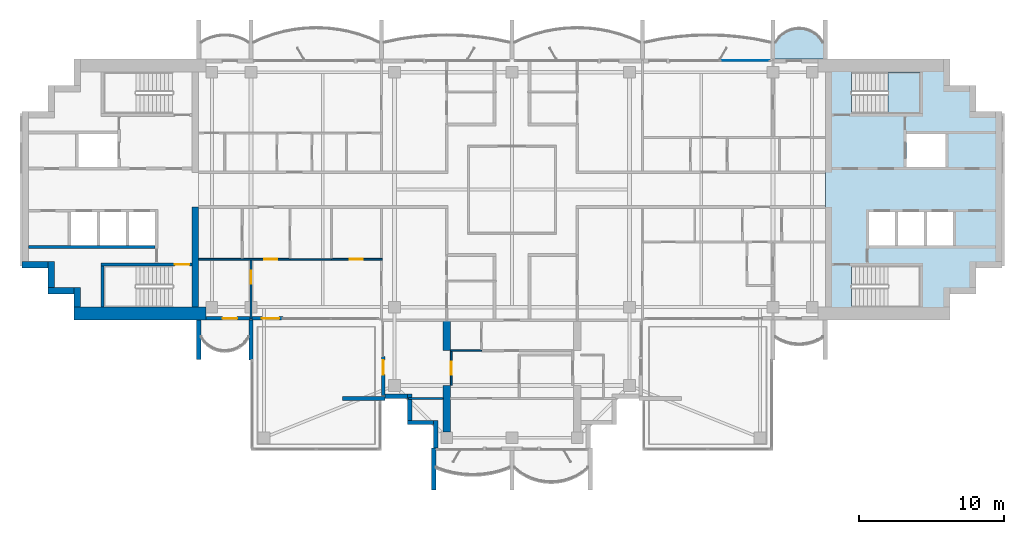
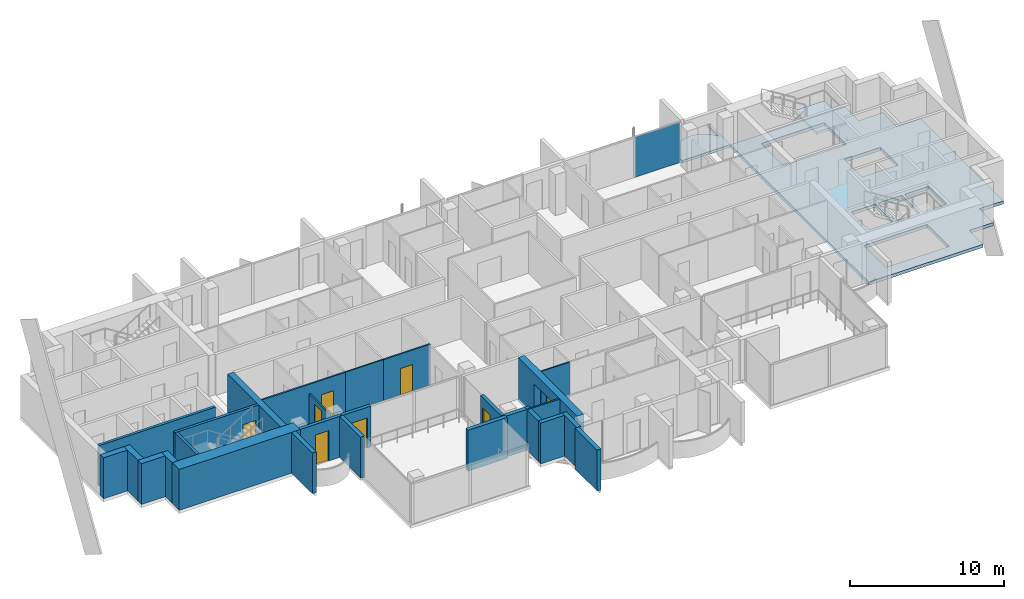
# One storey, part 6 of 16: 28 walls, 8 doors, 3 slabs, 1 plate, 8 openings, 2 elements without a shape of their own.
"""IFC4 building model written with IfcOpenShell, lengths in metres."""

from ifc_helpers import new_model, si_unit, direction, frame, frame_2d, origin, origin_2d, place, context, subcontext, project, spatial, polyline, rectangle, outline, extrude, material, layer, layer_set, material_profile, profile_set, type_object, element, fill, aggregate, save


model = new_model("IFC4")

# Units and contexts
model_context = context("Model", 3, precision=1e-05, world=origin(), true_north=direction((0.0, 1.0)))
body_context = subcontext(model_context, "Body", "Model", "MODEL_VIEW")
ifc_project = project(units=[si_unit("LENGTHUNIT", "METRE"), si_unit("AREAUNIT", "SQUARE_METRE"), si_unit("VOLUMEUNIT", "CUBIC_METRE"), si_unit("PLANEANGLEUNIT", "RADIAN"), si_unit("MASSUNIT", "GRAM", prefix="KILO")], contexts=[model_context])

# Site, building, storey
site_placement = place(None, origin())
site = spatial("IfcSite", under=ifc_project, at=site_placement, CompositionType="ELEMENT")
building_placement = place(site_placement, origin())
building = spatial("IfcBuilding", under=site, at=building_placement, Name="Perihelion Cross Residences", CompositionType="ELEMENT")
storey_placement = place(building_placement, frame((0.0, 0.0, 253.5)))
storey = spatial("IfcBuildingStorey", under=building, at=storey_placement, Name="L64", CompositionType="ELEMENT", Elevation=253.5)

# Slab
ifc_material_1 = material(Name="Concrete C40/50", Category="concrete")
ifc_layer_1 = layer(ifc_material_1, 0.199951171875)
ifc_layer_set_1 = layer_set([ifc_layer_1], Name="Balcony slab 200")
slab_type_1 = type_object("IfcSlabType", Name="Balcony slab 200", PredefinedType="FLOOR", material=ifc_layer_set_1)
slab_1_placement = place(storey_placement, frame((0.0, 0.0, -0.199951171875)))
element("IfcSlab", 1, at=slab_1_placement, inside=storey, type_object=slab_type_1, Name="Slab BK1 L64 east side north bay 1 balcony", PredefinedType="FLOOR", context=body_context, shape_type="SweptSolid", body=[
    extrude(outline(polyline([(21.60009765625, 9.0), (18.0, 9.0), (18.0, 11.699951171875), (18.14990234375, 11.699951171875), (18.14990234375, 10.199951171875), (18.425048828125, 10.568603515625), (18.699951171875, 10.806396484375), (18.97509765625, 10.96875), (19.25, 11.07568359375), (19.52490234375, 11.136962890625), (19.800048828125, 11.156982421875), (20.074951171875, 11.136962890625), (20.35009765625, 11.07568359375), (20.625, 10.96875), (20.89990234375, 10.806396484375), (21.175048828125, 10.568603515625), (21.449951171875, 10.199951171875), (21.449951171875, 11.699951171875), (21.60009765625, 11.699951171875), (21.60009765625, 9.0)])), origin(), (0.0, 0.0, 1.0), 0.199951171875),
])

# Curtain wall, plate
ifc_material_2 = material(Name="Bronze anodised aluminium, tinted glazing", Category="aluminium")
curtain_wall_type = type_object("IfcCurtainWallType", Name="CW1", PredefinedType="NOTDEFINED", material=ifc_material_2)
curtain_wall_placement = place(storey_placement, origin())
curtain_wall = element("IfcCurtainWall", 2, at=curtain_wall_placement, inside=storey, type_object=curtain_wall_type, Name="Curtain wall CW1 L64 east side north bay 2", PredefinedType="NOTDEFINED")
ifc_material_3 = material(Name="Tinted laminated glass", Category="glass")
ifc_layer_2 = layer(ifc_material_3, 0.028076171875)
ifc_layer_set_2 = layer_set([ifc_layer_2], Name="CW1 panel")
plate_type = type_object("IfcPlateType", Name="CW1 panel", PredefinedType="CURTAIN_PANEL", material=ifc_layer_set_2)
plate_placement = place(storey_placement, frame((16.06005859375, 8.89990234375, 0.0), z_axis=(0.0, 0.0, 1.0), x_axis=(-1.0, 0.0, 0.0)))
plate = element("IfcPlate", 3, at=plate_placement, type_object=plate_type, Name="CW1 panel 1", PredefinedType="CURTAIN_PANEL", context=body_context, shape_type="SweptSolid", body=[
    extrude(rectangle(XDim=3.360107421875, YDim=0.028076171875, at=origin_2d()), origin(), (0.0, 0.0, 1.0), 3.18994140625),
])
aggregate(curtain_wall, [plate])

# Slab
ifc_material_4 = material(Name="Concrete C40/50", Category="concrete")
ifc_layer_3 = layer(ifc_material_4, 0.25)
ifc_layer_set_3 = layer_set([ifc_layer_3], Name="Core floor slab 250")
slab_type_2 = type_object("IfcSlabType", Name="Core floor slab 250", PredefinedType="FLOOR", material=ifc_layer_set_3)
slab_2_placement = place(storey_placement, frame((0.0, 0.0, -0.25)))
element("IfcSlab", 4, at=slab_2_placement, inside=storey, type_object=slab_type_2, Name="East core floor slab", PredefinedType="FLOOR", context=body_context, shape_type="SweptSolid", body=[
    extrude(outline(polyline([(30.199951171875, 7.199951171875), (32.0, 7.199951171875), (32.0, 5.39990234375), (33.800048828125, 5.39990234375), (33.800048828125, -5.39990234375), (32.0, -5.39990234375), (32.0, -7.199951171875), (30.199951171875, -7.199951171875), (30.199951171875, -9.0), (21.60009765625, -9.0), (21.60009765625, 9.0), (30.199951171875, 9.0), (30.199951171875, 7.199951171875)]), holes=[polyline([(28.14990234375, -8.10009765625), (28.14990234375, -5.25), (23.405029296875, -5.25), (23.405029296875, -8.10009765625), (28.14990234375, -8.10009765625)]), polyline([(24.60009765625, -1.550048828125), (24.60009765625, -3.85009765625), (26.39990234375, -3.85009765625), (26.39990234375, -1.550048828125), (24.60009765625, -1.550048828125)]), polyline([(26.60009765625, -1.550048828125), (26.60009765625, -3.85009765625), (28.39990234375, -3.85009765625), (28.39990234375, -1.550048828125), (26.60009765625, -1.550048828125)]), polyline([(28.60009765625, -3.85009765625), (30.39990234375, -3.85009765625), (30.39990234375, -1.550048828125), (28.60009765625, -1.550048828125), (28.60009765625, -3.85009765625)]), polyline([(27.199951171875, 3.85009765625), (27.199951171875, 1.550048828125), (29.89990234375, 1.550048828125), (29.89990234375, 3.85009765625), (27.199951171875, 3.85009765625)]), polyline([(23.405029296875, 5.25), (28.14990234375, 5.25), (28.14990234375, 8.10009765625), (23.405029296875, 8.10009765625), (23.405029296875, 5.25)])]), origin(), (0.0, 0.0, 1.0), 0.25),
])

# Stair, slab
ifc_material_5 = material(Name="Concrete C40/50", Category="concrete")
stair_type = type_object("IfcStairType", Name="Exit stair, half-turn", PredefinedType="HALF_TURN_STAIR", material=ifc_material_5)
stair_placement = place(storey_placement, origin())
stair = element("IfcStair", 5, at=stair_placement, inside=storey, type_object=stair_type, Name="L64 East core exit stair 1", PredefinedType="HALF_TURN_STAIR")
ifc_material_6 = material(Name="Concrete C40/50", Category="concrete")
ifc_layer_4 = layer(ifc_material_6, 0.199951171875)
ifc_layer_set_4 = layer_set([ifc_layer_4], Name="Exit stair landing 200")
slab_type_3 = type_object("IfcSlabType", Name="Exit stair landing 200", PredefinedType="LANDING", material=ifc_layer_set_4)
slab_3_placement = place(storey_placement, frame((0.0, 0.0, 1.550048828125)))
slab_3 = element("IfcSlab", 6, at=slab_3_placement, type_object=slab_type_3, Name="ST-E1 landing 1", PredefinedType="LANDING", context=body_context, shape_type="SweptSolid", body=[
    extrude(outline(polyline([(25.919921875, 5.25), (28.14990234375, 5.25), (28.14990234375, 8.10009765625), (25.919921875, 8.10009765625), (25.919921875, 5.25)])), origin(), (0.0, 0.0, 1.0), 0.199951171875),
])
aggregate(stair, [slab_3])

# Wall, opening, door
ifc_material_7 = material(Name="Concrete C30/37, bronze-clad", Category="concrete")
ifc_layer_5 = layer(ifc_material_7, 0.25)
ifc_layer_set_5 = layer_set([ifc_layer_5], Name="Bronze-clad pier wall 250")
wall_type_1 = type_object("IfcWallType", Name="Bronze-clad pier wall 250", PredefinedType="SOLIDWALL", material=ifc_layer_set_5)
wall_1_placement = place(storey_placement, frame((-21.10009765625, -8.875, 0.0), z_axis=(0.0, 0.0, 1.0), x_axis=(1.0, 0.0, 0.0)))
wall_1 = element("IfcWall", 7, at=wall_1_placement, inside=storey, type_object=wall_type_1, Name="Wall FW1 L64 west side south bay 1 pier", PredefinedType="SOLIDWALL", context=body_context, shape_type="SweptSolid", body=[
    extrude(rectangle(XDim=3.0400390625, YDim=0.25, at=frame_2d((1.52001953125, 0.0))), origin(), (0.0, 0.0, 1.0), 3.25),
])
opening_1_placement = place(wall_1_placement, frame((1.14990234375, 0.0, 0.0)))
opening_1 = element("IfcOpeningElement", 8, at=opening_1_placement, cuts=wall_1, Name="Opening L64.E07", PredefinedType="OPENING", context=body_context, shape_type="SweptSolid", body=[
    extrude(rectangle(XDim=1.0, YDim=2.39990234375, at=frame_2d((0.5, 1.199951171875))), frame((0.0, 0.135009765625, 0.0), z_axis=(0.0, -1.0, 0.0), x_axis=(1.0, 0.0, 0.0)), (0.0, 0.0, 1.0), 0.27001953125),
])
ifc_material_8 = material(Name="Bronze anodised aluminium, glazed", Category="aluminium")
door_type_1 = type_object("IfcDoorType", Name="Balcony door 1000 x 2400", OperationType="NOTDEFINED", PredefinedType="DOOR", material=ifc_material_8)
door_1_placement = place(opening_1_placement, origin())
door_1 = element("IfcDoor", 9, at=door_1_placement, inside=storey, type_object=door_type_1, Name="Door L64.E07 west side south bay 1", OperationType="SINGLE_SWING_LEFT", OverallHeight=2.39990234375, OverallWidth=1.0, PredefinedType="DOOR", context=body_context, shape_type="SweptSolid", body=[
    extrude(rectangle(XDim=1.0, YDim=2.39990234375, at=frame_2d((0.5, 1.199951171875))), frame((0.0, 0.02490234375, 0.0), z_axis=(0.0, -1.0, 0.0), x_axis=(1.0, 0.0, 0.0)), (0.0, 0.0, 1.0), 0.050048828125),
])
fill(opening_1, door_1)

wall_2_placement = place(storey_placement, frame((-17.93994140625, -8.875, 0.0), z_axis=(0.0, 0.0, 1.0), x_axis=(1.0, 0.0, 0.0)))
wall_2 = element("IfcWall", 10, at=wall_2_placement, inside=storey, type_object=wall_type_1, Name="Wall FW1 L64 west side south bay 2 pier", PredefinedType="SOLIDWALL", context=body_context, shape_type="SweptSolid", body=[
    extrude(rectangle(XDim=2.139892578125, YDim=0.25, at=frame_2d((1.06982421875, 0.0))), origin(), (0.0, 0.0, 1.0), 3.25),
])
opening_2_placement = place(wall_2_placement, frame((0.68994140625, 0.0, 0.0)))
opening_2 = element("IfcOpeningElement", 11, at=opening_2_placement, cuts=wall_2, Name="Opening L64.E08", PredefinedType="OPENING", context=body_context, shape_type="SweptSolid", body=[
    extrude(rectangle(XDim=1.199951171875, YDim=2.39990234375, at=frame_2d((0.60009765625, 1.199951171875))), frame((0.0, 0.135009765625, 0.0), z_axis=(0.0, -1.0, 0.0), x_axis=(1.0, 0.0, 0.0)), (0.0, 0.0, 1.0), 0.27001953125),
])
ifc_material_9 = material(Name="Bronze anodised aluminium, glazed", Category="aluminium")
door_type_2 = type_object("IfcDoorType", Name="Balcony door 1200 x 2400", OperationType="NOTDEFINED", PredefinedType="DOOR", material=ifc_material_9)
door_2_placement = place(opening_2_placement, origin())
door_2 = element("IfcDoor", 12, at=door_2_placement, inside=storey, type_object=door_type_2, Name="Door L64.E08 west side south bay 2", OperationType="SINGLE_SWING_RIGHT", OverallHeight=2.39990234375, OverallWidth=1.199951171875, PredefinedType="DOOR", context=body_context, shape_type="SweptSolid", body=[
    extrude(rectangle(XDim=1.199951171875, YDim=2.39990234375, at=frame_2d((0.60009765625, 1.199951171875))), frame((0.0, 0.02490234375, 0.0), z_axis=(0.0, -1.0, 0.0), x_axis=(1.0, 0.0, 0.0)), (0.0, 0.0, 1.0), 0.050048828125),
])
fill(opening_2, door_2)

wall_3_placement = place(storey_placement, frame((-8.875, -11.5, 0.0), z_axis=(0.0, 0.0, 1.0), x_axis=(0.0, -1.0, 0.0)))
wall_3 = element("IfcWall", 13, at=wall_3_placement, inside=storey, type_object=wall_type_1, Name="Wall FW1 L64 south side west bay 1 pier", PredefinedType="SOLIDWALL", context=body_context, shape_type="SweptSolid", body=[
    extrude(rectangle(XDim=2.699951171875, YDim=0.25, at=frame_2d((1.35009765625, 0.0))), origin(), (0.0, 0.0, 1.0), 3.25),
])
opening_3_placement = place(wall_3_placement, frame((0.25, 0.0, 0.0)))
opening_3 = element("IfcOpeningElement", 14, at=opening_3_placement, cuts=wall_3, Name="Opening L64.E09", PredefinedType="OPENING", context=body_context, shape_type="SweptSolid", body=[
    extrude(rectangle(XDim=1.0, YDim=2.39990234375, at=frame_2d((0.5, 1.199951171875))), frame((0.0, 0.135009765625, 0.0), z_axis=(0.0, -1.0, 0.0), x_axis=(1.0, 0.0, 0.0)), (0.0, 0.0, 1.0), 0.27001953125),
])
door_3_placement = place(opening_3_placement, origin())
door_3 = element("IfcDoor", 15, at=door_3_placement, inside=storey, type_object=door_type_1, Name="Door L64.E09 south side west bay 1", OperationType="SINGLE_SWING_LEFT", OverallHeight=2.39990234375, OverallWidth=1.0, PredefinedType="DOOR", context=body_context, shape_type="SweptSolid", body=[
    extrude(rectangle(XDim=1.0, YDim=2.39990234375, at=frame_2d((0.5, 1.199951171875))), frame((0.0, 0.02490234375, 0.0), z_axis=(0.0, -1.0, 0.0), x_axis=(1.0, 0.0, 0.0)), (0.0, 0.0, 1.0), 0.050048828125),
])
fill(opening_3, door_3)

# Walls
ifc_material_10 = material(Name="Concrete C30/37, bronze-clad", Category="concrete")
ifc_layer_6 = layer(ifc_material_10, 0.300048828125)
ifc_layer_set_6 = layer_set([ifc_layer_6], Name="Bronze-clad serration wall 300")
wall_type_2 = type_object("IfcWallType", Name="Bronze-clad serration wall 300", PredefinedType="SOLIDWALL", material=ifc_layer_set_6)
wall_4_placement = place(storey_placement, frame((-8.75, -14.25, 0.0), z_axis=(0.0, 0.0, 1.0), x_axis=(1.0, 0.0, 0.0)))
element("IfcWall", 16, at=wall_4_placement, inside=storey, type_object=wall_type_2, Name="Wall SR1 L64 south corner south-west 1", PredefinedType="SOLIDWALL", context=body_context, shape_type="SweptSolid", body=[
    extrude(rectangle(XDim=1.550048828125, YDim=0.300048828125, at=frame_2d((0.77490234375, 0.0))), origin(), (0.0, 0.0, 1.0), 3.25),
])
wall_5_placement = place(storey_placement, frame((-7.050048828125, -14.10009765625, 0.0), z_axis=(0.0, 0.0, 1.0), x_axis=(0.0, -1.0, 0.0)))
element("IfcWall", 17, at=wall_5_placement, inside=storey, type_object=wall_type_2, Name="Wall SR1 L64 south corner south-west 2", PredefinedType="SOLIDWALL", context=body_context, shape_type="SweptSolid", body=[
    extrude(rectangle(XDim=1.7998046875, YDim=0.300048828125, at=frame_2d((0.89990234375, 0.0))), origin(), (0.0, 0.0, 1.0), 3.25),
])
wall_6_placement = place(storey_placement, frame((-7.199951171875, -16.050048828125, 0.0), z_axis=(0.0, 0.0, 1.0), x_axis=(1.0, 0.0, 0.0)))
element("IfcWall", 18, at=wall_6_placement, inside=storey, type_object=wall_type_2, Name="Wall SR1 L64 south corner south-west 3", PredefinedType="SOLIDWALL", context=body_context, shape_type="SweptSolid", body=[
    extrude(rectangle(XDim=1.800048828125, YDim=0.300048828125, at=frame_2d((0.89990234375, 0.0))), origin(), (0.0, 0.0, 1.0), 3.25),
])
wall_7_placement = place(storey_placement, frame((-5.25, -15.89990234375, 0.0), z_axis=(0.0, 0.0, 1.0), x_axis=(0.0, -1.0, 0.0)))
element("IfcWall", 19, at=wall_7_placement, inside=storey, type_object=wall_type_2, Name="Wall SR1 L64 south corner south-west 4", PredefinedType="SOLIDWALL", context=body_context, shape_type="SweptSolid", body=[
    extrude(rectangle(XDim=1.920166015625, YDim=0.300048828125, at=frame_2d((0.9599609375, 0.0))), origin(), (0.0, 0.0, 1.0), 3.25),
])
ifc_material_11 = material(Name="Concrete C60/75", Category="concrete")
ifc_layer_7 = layer(ifc_material_11, 0.449951171875)
ifc_layer_set_7 = layer_set([ifc_layer_7], Name="Core wall, inner 450")
wall_type_3 = type_object("IfcWallType", Name="Core wall, inner 450", PredefinedType="SHEAR", material=ifc_layer_set_7)
wall_8_placement = place(storey_placement, frame((-21.824951171875, -8.10009765625, 0.0), z_axis=(0.0, 0.0, 1.0), x_axis=(0.0, 1.0, 0.0)))
element("IfcWall", 20, at=wall_8_placement, inside=storey, type_object=wall_type_3, Name="West core core wall, inner", PredefinedType="SHEAR", context=body_context, shape_type="SweptSolid", body=[
    extrude(rectangle(XDim=6.900146484375, YDim=0.449951171875, at=frame_2d((3.4501953125, 0.0))), origin(), (0.0, 0.0, 1.0), 3.25),
])
ifc_material_12 = material(Name="Concrete C60/75", Category="concrete")
ifc_layer_8 = layer(ifc_material_12, 0.449951171875)
ifc_layer_set_8 = layer_set([ifc_layer_8], Name="Core wall, outer 450")
wall_type_4 = type_object("IfcWallType", Name="Core wall, outer 450", PredefinedType="SHEAR", material=ifc_layer_set_8)
wall_9_placement = place(storey_placement, frame((-29.97509765625, -8.10009765625, 0.0), z_axis=(0.0, 0.0, 1.0), x_axis=(0.0, 1.0, 0.0)))
element("IfcWall", 21, at=wall_9_placement, inside=storey, type_object=wall_type_4, Name="West core core wall, outer", PredefinedType="SHEAR", context=body_context, shape_type="SweptSolid", body=[
    extrude(rectangle(XDim=1.35009765625, YDim=0.449951171875, at=frame_2d((0.675048828125, 0.0))), origin(), (0.0, 0.0, 1.0), 3.25),
])
for number, where, z_axis, x_axis, name in (
    (22, (-32.0, -6.97509765625, 0.0), (0.0, 0.0, 1.0), (1.0, 0.0, 0.0), "West core core wall, outer"),
    (23, (-31.77490234375, -6.75, 0.0), (0.0, 0.0, 1.0), (0.0, 1.0, 0.0), "West core core wall, outer"),
    (24, (-33.800048828125, -5.175048828125, 0.0), (0.0, 0.0, 1.0), (1.0, 0.0, 0.0), "West core core wall, outer"),
):
    element("IfcWall", number, at=place(storey_placement, frame(where, z_axis=z_axis, x_axis=x_axis)), inside=storey, type_object=wall_type_4, Name=name, PredefinedType="SHEAR", context=body_context, shape_type="SweptSolid", body=[
        extrude(rectangle(XDim=1.800048828125, YDim=0.449951171875, at=frame_2d((0.89990234375, 0.0))), origin(), (0.0, 0.0, 1.0), 3.25),
    ])
ifc_material_13 = material(Name="Concrete C60/75", Category="concrete")
ifc_layer_9 = layer(ifc_material_13, 0.89990234375)
ifc_layer_set_9 = layer_set([ifc_layer_9], Name="Core wall, outer 900")
wall_type_5 = type_object("IfcWallType", Name="Core wall, outer 900", PredefinedType="SHEAR", material=ifc_layer_set_9)
wall_10_placement = place(storey_placement, frame((-30.199951171875, -8.550048828125, 0.0), z_axis=(0.0, 0.0, 1.0), x_axis=(1.0, 0.0, 0.0)))
element("IfcWall", 25, at=wall_10_placement, inside=storey, type_object=wall_type_5, Name="West core core wall, outer", PredefinedType="SHEAR", context=body_context, shape_type="SweptSolid", body=[
    extrude(rectangle(XDim=9.099853515625, YDim=0.89990234375, at=frame_2d((4.5498046875, 0.0))), origin(), (0.0, 0.0, 1.0), 3.25),
])

# Wall, opening, door
ifc_material_14 = material(Name="Plasterboard partition")
ifc_layer_10 = layer(ifc_material_14, 0.1201171875)
ifc_layer_set_10 = layer_set([ifc_layer_10], Name="Infill panel 120")
wall_type_6 = type_object("IfcWallType", Name="Infill panel 120", PredefinedType="PARTITIONING", material=ifc_layer_set_10)
wall_11_placement = place(storey_placement, frame((-4.18994140625, -11.10009765625, 0.0), z_axis=(0.0, 0.0, 1.0), x_axis=(0.0, -1.0, 0.0)))
wall_11 = element("IfcWall", 26, at=wall_11_placement, inside=storey, type_object=wall_type_6, Name="Partition L64 WI02", PredefinedType="PARTITIONING", context=body_context, shape_type="SweptSolid", body=[
    extrude(rectangle(XDim=2.39990234375, YDim=0.1201171875, at=frame_2d((1.199951171875, 0.0))), origin(), (0.0, 0.0, 1.0), 2.39990234375),
])
opening_4_placement = place(wall_11_placement, frame((0.75, 0.0, 0.0)))
opening_4 = element("IfcOpeningElement", 27, at=opening_4_placement, cuts=wall_11, Name="Opening L64.A45", PredefinedType="OPENING", context=body_context, shape_type="SweptSolid", body=[
    extrude(rectangle(XDim=0.89990234375, YDim=2.10009765625, at=frame_2d((0.449951171875, 1.050048828125))), frame((0.0, 0.070068359375, 0.0), z_axis=(0.0, -1.0, 0.0), x_axis=(1.0, 0.0, 0.0)), (0.0, 0.0, 1.0), 0.14013671875),
])
ifc_material_15 = material(Name="Timber door leaf", Category="wood")
door_type_3 = type_object("IfcDoorType", Name="Interior room door 900 x 2100", OperationType="SINGLE_SWING_LEFT", PredefinedType="DOOR", material=ifc_material_15)
door_4_placement = place(opening_4_placement, origin())
door_4 = element("IfcDoor", 28, at=door_4_placement, inside=storey, type_object=door_type_3, Name="Door L64.A45", OperationType="SINGLE_SWING_LEFT", OverallHeight=2.10009765625, OverallWidth=0.89990234375, PredefinedType="DOOR", context=body_context, shape_type="SweptSolid", body=[
    extrude(rectangle(XDim=0.89990234375, YDim=2.10009765625, at=frame_2d((0.449951171875, 1.050048828125))), frame((0.0, 0.02490234375, 0.0), z_axis=(0.0, -1.0, 0.0), x_axis=(1.0, 0.0, 0.0)), (0.0, 0.0, 1.0), 0.050048828125),
])
fill(opening_4, door_4)

ifc_material_16 = material(Name="Plasterboard partition")
ifc_layer_11 = layer(ifc_material_16, 0.1201171875)
ifc_layer_set_11 = layer_set([ifc_layer_11], Name="Partition wall 120")
wall_type_7 = type_object("IfcWallType", Name="Partition wall 120", PredefinedType="PARTITIONING", material=ifc_layer_set_11)
wall_12_placement = place(storey_placement, frame((-8.93994140625, -4.800048828125, 0.0), z_axis=(0.0, 0.0, 1.0), x_axis=(-1.0, 0.0, 0.0)))
wall_12 = element("IfcWall", 29, at=wall_12_placement, inside=storey, type_object=wall_type_7, Name="Partition L64 W055", PredefinedType="PARTITIONING", context=body_context, shape_type="SweptSolid", body=[
    extrude(rectangle(XDim=3.510009765625, YDim=0.1201171875, at=frame_2d((1.7548828125, 0.0))), origin(), (0.0, 0.0, 1.0), 3.25),
])
opening_5_placement = place(wall_12_placement, frame((1.3349609375, 0.0, 0.0)))
opening_5 = element("IfcOpeningElement", 30, at=opening_5_placement, cuts=wall_12, Name="Opening L64.A33", PredefinedType="OPENING", context=body_context, shape_type="SweptSolid", body=[
    extrude(rectangle(XDim=0.89990234375, YDim=2.10009765625, at=frame_2d((0.449951171875, 1.050048828125))), frame((0.0, 0.070068359375, 0.0), z_axis=(0.0, -1.0, 0.0), x_axis=(1.0, 0.0, 0.0)), (0.0, 0.0, 1.0), 0.14013671875),
])
door_5_placement = place(opening_5_placement, origin())
door_5 = element("IfcDoor", 31, at=door_5_placement, inside=storey, type_object=door_type_3, Name="Door L64.A33", OperationType="SINGLE_SWING_RIGHT", OverallHeight=2.10009765625, OverallWidth=0.89990234375, PredefinedType="DOOR", context=body_context, shape_type="SweptSolid", body=[
    extrude(rectangle(XDim=0.89990234375, YDim=2.10009765625, at=frame_2d((0.449951171875, 1.050048828125))), frame((0.0, 0.02490234375, 0.0), z_axis=(0.0, -1.0, 0.0), x_axis=(1.0, 0.0, 0.0)), (0.0, 0.0, 1.0), 0.050048828125),
])
fill(opening_5, door_5)

wall_13_placement = place(storey_placement, frame((-15.300048828125, -4.800048828125, 0.0), z_axis=(0.0, 0.0, 1.0), x_axis=(-1.0, 0.0, 0.0)))
wall_13 = element("IfcWall", 32, at=wall_13_placement, inside=storey, type_object=wall_type_7, Name="Partition L64 W060", PredefinedType="PARTITIONING", context=body_context, shape_type="SweptSolid", body=[
    extrude(rectangle(XDim=6.300048828125, YDim=0.1201171875, at=frame_2d((3.14990234375, 0.0))), origin(), (0.0, 0.0, 1.0), 3.25),
])
opening_6_placement = place(wall_13_placement, frame((0.89990234375, 0.0, 0.0)))
opening_6 = element("IfcOpeningElement", 33, at=opening_6_placement, cuts=wall_13, Name="Opening L64.A29", PredefinedType="OPENING", context=body_context, shape_type="SweptSolid", body=[
    extrude(rectangle(XDim=0.89990234375, YDim=2.10009765625, at=frame_2d((0.449951171875, 1.050048828125))), frame((0.0, 0.070068359375, 0.0), z_axis=(0.0, -1.0, 0.0), x_axis=(1.0, 0.0, 0.0)), (0.0, 0.0, 1.0), 0.14013671875),
])
door_6_placement = place(opening_6_placement, origin())
door_6 = element("IfcDoor", 34, at=door_6_placement, inside=storey, type_object=door_type_3, Name="Door L64.A29", OperationType="SINGLE_SWING_LEFT", OverallHeight=2.10009765625, OverallWidth=0.89990234375, PredefinedType="DOOR", context=body_context, shape_type="SweptSolid", body=[
    extrude(rectangle(XDim=0.89990234375, YDim=2.10009765625, at=frame_2d((0.449951171875, 1.050048828125))), frame((0.0, 0.02490234375, 0.0), z_axis=(0.0, -1.0, 0.0), x_axis=(1.0, 0.0, 0.0)), (0.0, 0.0, 1.0), 0.050048828125),
])
fill(opening_6, door_6)

wall_14_placement = place(storey_placement, frame((-18.0, -8.919921875, 0.0), z_axis=(0.0, 0.0, 1.0), x_axis=(0.0, 1.0, 0.0)))
wall_14 = element("IfcWall", 35, at=wall_14_placement, inside=storey, type_object=wall_type_7, Name="Partition L64 W061", PredefinedType="PARTITIONING", context=body_context, shape_type="SweptSolid", body=[
    extrude(rectangle(XDim=4.059814453125, YDim=0.1201171875, at=frame_2d((2.02978515625, 0.0))), origin(), (0.0, 0.0, 1.0), 2.49609375),
])
opening_7_placement = place(wall_14_placement, frame((2.43994140625, 0.0, 0.0)))
opening_7 = element("IfcOpeningElement", 36, at=opening_7_placement, cuts=wall_14, Name="Opening L64.A27", PredefinedType="OPENING", context=body_context, shape_type="SweptSolid", body=[
    extrude(rectangle(XDim=0.89990234375, YDim=2.10009765625, at=frame_2d((0.449951171875, 1.050048828125))), frame((0.0, 0.070068359375, 0.0), z_axis=(0.0, -1.0, 0.0), x_axis=(1.0, 0.0, 0.0)), (0.0, 0.0, 1.0), 0.14013671875),
])
door_7_placement = place(opening_7_placement, origin())
door_7 = element("IfcDoor", 37, at=door_7_placement, inside=storey, type_object=door_type_3, Name="Door L64.A27", OperationType="SINGLE_SWING_RIGHT", OverallHeight=2.10009765625, OverallWidth=0.89990234375, PredefinedType="DOOR", context=body_context, shape_type="SweptSolid", body=[
    extrude(rectangle(XDim=0.89990234375, YDim=2.10009765625, at=frame_2d((0.449951171875, 1.050048828125))), frame((0.0, 0.02490234375, 0.0), z_axis=(0.0, -1.0, 0.0), x_axis=(1.0, 0.0, 0.0)), (0.0, 0.0, 1.0), 0.050048828125),
])
fill(opening_7, door_7)

# Walls
wall_15_placement = place(storey_placement, frame((-4.75, -14.39990234375, 0.0), z_axis=(0.0, 0.0, 1.0), x_axis=(-1.0, 0.0, 0.0)))
element("IfcWall", 38, at=wall_15_placement, inside=storey, type_object=wall_type_7, Name="Partition L64 W075", PredefinedType="PARTITIONING", context=body_context, shape_type="SweptSolid", body=[
    extrude(rectangle(XDim=2.3701171875, YDim=0.1201171875, at=frame_2d((1.18505859375, 0.0))), origin(), (0.0, 0.0, 1.0), 3.25),
])
ifc_material_17 = material(Name="Precast concrete C50/60", Category="concrete")
ifc_layer_12 = layer(ifc_material_17, 0.300048828125)
ifc_layer_set_12 = layer_set([ifc_layer_12], Name="Precast concrete C50/60 blade wall 300")
wall_type_8 = type_object("IfcWallType", Name="Precast concrete C50/60 blade wall 300", PredefinedType="SOLIDWALL", material=ifc_layer_set_12)
wall_16_placement = place(storey_placement, frame((-21.60009765625, -9.0, 0.0), z_axis=(0.0, 0.0, 1.0), x_axis=(0.0, -1.0, 0.0)))
element("IfcWall", 39, at=wall_16_placement, inside=storey, type_object=wall_type_8, Name="Wall BL1 L64 no. 3", PredefinedType="SOLIDWALL", context=body_context, shape_type="SweptSolid", body=[
    extrude(rectangle(XDim=2.699951171875, YDim=0.300048828125, at=frame_2d((1.35009765625, 0.0))), origin(), (0.0, 0.0, 1.0), 3.25),
])
wall_17_placement = place(storey_placement, frame((-18.0, -9.0, 0.0), z_axis=(0.0, 0.0, 1.0), x_axis=(0.0, -1.0, 0.0)))
element("IfcWall", 40, at=wall_17_placement, inside=storey, type_object=wall_type_8, Name="Wall BL1 L64 no. 1", PredefinedType="SOLIDWALL", context=body_context, shape_type="SweptSolid", body=[
    extrude(rectangle(XDim=2.739990234375, YDim=0.300048828125, at=frame_2d((1.3701171875, 0.0))), origin(), (0.0, 0.0, 1.0), 3.25),
])
wall_18_placement = place(storey_placement, frame((-8.75, -14.39990234375, 0.0), z_axis=(0.0, 0.0, 1.0), x_axis=(-1.0, 0.0, 0.0)))
element("IfcWall", 41, at=wall_18_placement, inside=storey, type_object=wall_type_8, Name="Wall BL1 L64 no. 6", PredefinedType="SOLIDWALL", context=body_context, shape_type="SweptSolid", body=[
    extrude(rectangle(XDim=2.949951171875, YDim=0.300048828125, at=frame_2d((1.47509765625, 0.0))), origin(), (0.0, 0.0, 1.0), 3.25),
])
wall_19_placement = place(storey_placement, frame((-5.39990234375, -17.820068359375, 0.0), z_axis=(0.0, 0.0, 1.0), x_axis=(0.0, -1.0, 0.0)))
element("IfcWall", 42, at=wall_19_placement, inside=storey, type_object=wall_type_8, Name="Wall BL1 L64 no. 5", PredefinedType="SOLIDWALL", context=body_context, shape_type="SweptSolid", body=[
    extrude(rectangle(XDim=2.8798828125, YDim=0.300048828125, at=frame_2d((1.43994140625, 0.0))), origin(), (0.0, 0.0, 1.0), 3.25),
])
ifc_material_18 = material(Name="Concrete C50/60", Category="concrete")
ifc_layer_13 = layer(ifc_material_18, 0.199951171875)
ifc_layer_set_13 = layer_set([ifc_layer_13], Name="Shaft wall 200")
wall_type_9 = type_object("IfcWallType", Name="Shaft wall 200", PredefinedType="SOLIDWALL", material=ifc_layer_set_13)
wall_20_placement = place(storey_placement, frame((-33.35009765625, -3.949951171875, 0.0), z_axis=(0.0, 0.0, 1.0), x_axis=(1.0, 0.0, 0.0)))
element("IfcWall", 43, at=wall_20_placement, inside=storey, type_object=wall_type_9, Name="West core shaft wall", PredefinedType="SOLIDWALL", context=body_context, shape_type="SweptSolid", body=[
    extrude(rectangle(XDim=8.75, YDim=0.199951171875, at=frame_2d((4.375, 0.0))), origin(), (0.0, 0.0, 1.0), 3.25),
])

# Wall, opening, door
ifc_material_19 = material(Name="Concrete C50/60", Category="concrete")
ifc_layer_14 = layer(ifc_material_19, 0.199951171875)
ifc_layer_set_14 = layer_set([ifc_layer_14], Name="Stair wall 200")
wall_type_10 = type_object("IfcWallType", Name="Stair wall 200", PredefinedType="SOLIDWALL", material=ifc_layer_set_14)
wall_21_placement = place(storey_placement, frame((-28.35009765625, -5.14990234375, 0.0), z_axis=(0.0, 0.0, 1.0), x_axis=(1.0, 0.0, 0.0)))
wall_21 = element("IfcWall", 44, at=wall_21_placement, inside=storey, type_object=wall_type_10, Name="West core stair wall", PredefinedType="SOLIDWALL", context=body_context, shape_type="SweptSolid", body=[
    extrude(rectangle(XDim=6.300048828125, YDim=0.199951171875, at=frame_2d((3.14990234375, 0.0))), origin(), (0.0, 0.0, 1.0), 3.25),
])
opening_8_placement = place(wall_21_placement, frame((5.10009765625, 0.0, 0.0)))
opening_8 = element("IfcOpeningElement", 45, at=opening_8_placement, cuts=wall_21, Name="Opening L64.C17", PredefinedType="OPENING", context=body_context, shape_type="SweptSolid", body=[
    extrude(rectangle(XDim=1.0, YDim=2.10009765625, at=frame_2d((0.5, 1.050048828125))), frame((0.0, 0.10986328125, 0.0), z_axis=(0.0, -1.0, 0.0), x_axis=(1.0, 0.0, 0.0)), (0.0, 0.0, 1.0), 0.219970703125),
])
ifc_material_20 = material(Name="Steel, powder coated", Category="steel")
door_type_4 = type_object("IfcDoorType", Name="Stair door 1000", OperationType="SINGLE_SWING_LEFT", PredefinedType="DOOR", material=ifc_material_20)
door_8_placement = place(opening_8_placement, origin())
door_8 = element("IfcDoor", 46, at=door_8_placement, inside=storey, type_object=door_type_4, Name="West core stair door", OperationType="SINGLE_SWING_LEFT", OverallHeight=2.10009765625, OverallWidth=1.0, PredefinedType="DOOR", context=body_context, shape_type="SweptSolid", body=[
    extrude(rectangle(XDim=1.0, YDim=2.10009765625, at=frame_2d((0.5, 1.050048828125))), frame((0.0, 0.02490234375, 0.0), z_axis=(0.0, -1.0, 0.0), x_axis=(1.0, 0.0, 0.0)), (0.0, 0.0, 1.0), 0.050048828125),
])
fill(opening_8, door_8)

# Walls
wall_22_placement = place(storey_placement, frame((-28.25, -8.10009765625, 0.0), z_axis=(0.0, 0.0, 1.0), x_axis=(0.0, 1.0, 0.0)))
element("IfcWall", 47, at=wall_22_placement, inside=storey, type_object=wall_type_10, Name="West core stair wall", PredefinedType="SOLIDWALL", context=body_context, shape_type="SweptSolid", body=[
    extrude(rectangle(XDim=2.85009765625, YDim=0.199951171875, at=frame_2d((1.425048828125, 0.0))), origin(), (0.0, 0.0, 1.0), 3.25),
])
ifc_material_21 = material(Name="Concrete C50/60", Category="concrete")
ifc_material_profile = material_profile(ifc_material_21, outline(polyline([(0.0, 0.0), (3.199951171875, 0.0), (3.199951171875, 2.64990234375), (5.60009765625, 2.64990234375), (5.60009765625, 0.0), (7.699951171875, 0.0), (7.699951171875, 3.5), (0.0, 3.5), (0.0, 0.0)])), Name="Tip spine wall")
ifc_profile_set = profile_set([ifc_material_profile], Name="Concrete C50/60")
wall_type_11 = type_object("IfcWallType", Name="Tip spine wall 500 with 1 door openings 7700 long 3500 high concrete C50/60", PredefinedType="SHEAR", material=ifc_profile_set)
wall_23_placement = place(storey_placement, frame((-4.75, -16.699951171875, -0.25), z_axis=(1.0, 0.0, 0.0), x_axis=(0.0, 1.0, 0.0)))
element("IfcWall", 48, at=wall_23_placement, inside=storey, type_object=wall_type_11, Name="Shear wall SW45 L64 south west", PredefinedType="SHEAR", context=body_context, shape_type="SweptSolid", body=[
    extrude(outline(polyline([(0.0, 0.0), (3.199951171875, 0.0), (3.199951171875, 2.64990234375), (5.60009765625, 2.64990234375), (5.60009765625, 0.0), (7.699951171875, 0.0), (7.699951171875, 3.5), (0.0, 3.5), (0.0, 0.0)])), origin(), (0.0, 0.0, 1.0), 0.5),
])
ifc_material_22 = material(Name="Plasterboard partition")
ifc_layer_15 = layer(ifc_material_22, 0.10009765625)
ifc_layer_set_15 = layer_set([ifc_layer_15], Name="Wet room wall 100")
wall_type_12 = type_object("IfcWallType", Name="Wet room wall 100", PredefinedType="PARTITIONING", material=ifc_layer_set_15)
wall_24_placement = place(storey_placement, frame((-12.449951171875, -4.800048828125, 0.0), z_axis=(0.0, 0.0, 1.0), x_axis=(-1.0, 0.0, 0.0)))
element("IfcWall", 49, at=wall_24_placement, inside=storey, type_object=wall_type_12, Name="Partition L64 W058", PredefinedType="PARTITIONING", context=body_context, shape_type="SweptSolid", body=[
    extrude(rectangle(XDim=2.85009765625, YDim=0.10009765625, at=frame_2d((1.425048828125, 0.0))), origin(), (0.0, 0.0, 1.0), 3.25),
])
wall_25_placement = place(storey_placement, frame((-2.10009765625, -11.10009765625, 0.0), z_axis=(0.0, 0.0, 1.0), x_axis=(-1.0, 0.0, 0.0)))
element("IfcWall", 50, at=wall_25_placement, inside=storey, type_object=wall_type_12, Name="Partition L64 W067", PredefinedType="PARTITIONING", context=body_context, shape_type="SweptSolid", body=[
    extrude(rectangle(XDim=2.14990234375, YDim=0.10009765625, at=frame_2d((1.074951171875, 0.0))), origin(), (0.0, 0.0, 1.0), 3.25),
])

save(model, "model.ifc")
